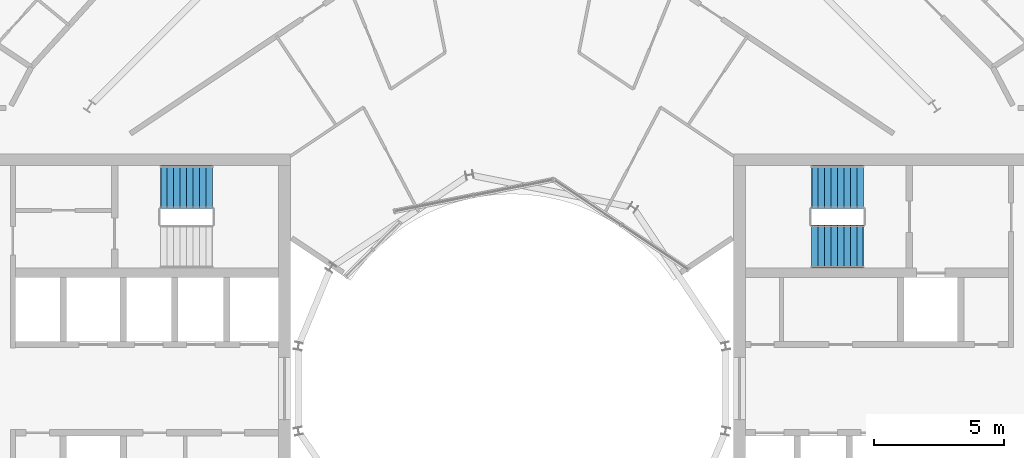
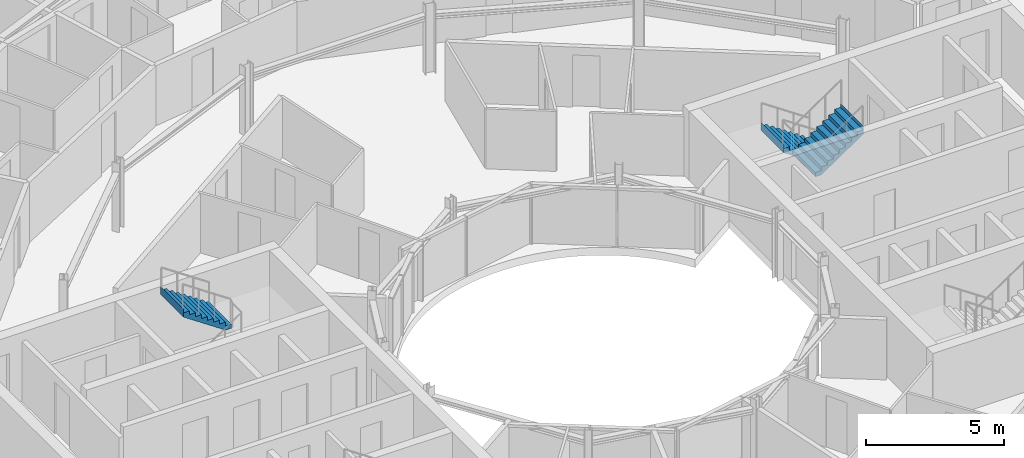
# One storey, part 26 of 28: 3 stair flights, 2 elements without a shape of their own.
"""IFC4 building model written with IfcOpenShell, lengths in metres."""

from ifc_helpers import new_model, si_unit, direction, frame, origin, place, context, subcontext, project, spatial, triangles, material, type_object, element, aggregate, save


model = new_model("IFC4")

# Units and contexts
model_context = context("Model", 3, precision=1e-05, world=origin(), true_north=direction((0.0, 1.0)))
body_context = subcontext(model_context, "Body", "Model", "MODEL_VIEW")
ifc_project = project(units=[si_unit("LENGTHUNIT", "METRE"), si_unit("AREAUNIT", "SQUARE_METRE"), si_unit("VOLUMEUNIT", "CUBIC_METRE"), si_unit("PLANEANGLEUNIT", "RADIAN"), si_unit("MASSUNIT", "GRAM", prefix="KILO")], contexts=[model_context])

# Site, building, storey
site_placement = place(None, origin())
site = spatial("IfcSite", under=ifc_project, at=site_placement, CompositionType="ELEMENT")
building_placement = place(site_placement, origin())
building = spatial("IfcBuilding", under=site, at=building_placement, Name="Maasbend Ring Residences", CompositionType="ELEMENT")
storey_placement = place(building_placement, frame((0.0, 0.0, 218.800048828125)))
storey = spatial("IfcBuildingStorey", under=building, at=storey_placement, Name="L63", CompositionType="ELEMENT", Elevation=218.800048828125)

# Stair, stair flights
ifc_material_1 = material(Name="Concrete C40/50", Category="concrete")
stair_type = type_object("IfcStairType", Name="CORE STAIR 18 RISERS", PredefinedType="HALF_TURN_STAIR", material=ifc_material_1)
stair_1_placement = place(storey_placement, origin())
stair_1 = element("IfcStair", 1, at=stair_1_placement, inside=storey, type_object=stair_type, Name="L63 Exit stair ST-E1", PredefinedType="HALF_TURN_STAIR")
ifc_material_2 = material(Name="Concrete C40/50", Category="concrete")
stair_flight_type = type_object("IfcStairFlightType", Name="CORE STAIR FLIGHT 1650", PredefinedType="STRAIGHT", material=ifc_material_2)
stair_flight_1_placement = place(storey_placement, frame((13.550048828125, 7.77490234375, 0.0), z_axis=(0.0, 0.0, 1.0), x_axis=(-1.0, 0.0, 0.0)))
stair_flight_1 = element("IfcStairFlight", 2, at=stair_flight_1_placement, type_object=stair_flight_type, Name="ST-E1 flight 1", NumberOfRisers=9, NumberOfTreads=8, PredefinedType="STRAIGHT", RiserHeight=0.169444444, TreadLength=0.25, context=body_context, shape_type="Tessellation", body=[
    triangles([(0.24072265625, 0.824951171875, -0.02001953125), (2.0029296875, 0.824951171875, 1.174560546875), (2.0029296875, 0.824951171875, 1.52490234375), (1.989990234375, 0.824951171875, 1.35546875), (1.75, 0.824951171875, 1.35546875), (1.75, 0.824951171875, 1.18603515625), (1.5, 0.824951171875, 1.18603515625), (1.5, 0.824951171875, 1.0166015625), (1.25, 0.824951171875, 1.0166015625), (1.25, 0.824951171875, 0.84716796875), (1.0, 0.824951171875, 0.84716796875), (1.0, 0.824951171875, 0.677734375), (0.75, 0.824951171875, 0.677734375), (0.75, 0.824951171875, 0.50830078125), (0.5, 0.824951171875, 0.50830078125), (0.5, 0.824951171875, 0.3388671875), (0.25, 0.824951171875, 0.3388671875), (0.25, 0.824951171875, 0.16943359375), (0.0, 0.824951171875, 0.16943359375), (0.0, 0.824951171875, 0.0), (-0.0029296875, 0.824951171875, 0.0), (-0.0029296875, 0.824951171875, -0.02001953125), (0.24072265625, 0.27490234375, -0.02001953125), (2.0029296875, 0.27490234375, 1.174560546875), (2.0029296875, 0.27490234375, 1.52490234375), (1.989990234375, 0.27490234375, 1.35546875), (1.75, 0.27490234375, 1.35546875), (1.75, 0.27490234375, 1.18603515625), (1.5, 0.27490234375, 1.18603515625), (1.5, 0.27490234375, 1.0166015625), (1.25, 0.27490234375, 1.0166015625), (1.25, 0.27490234375, 0.84716796875), (1.0, 0.27490234375, 0.84716796875), (1.0, 0.27490234375, 0.677734375), (0.75, 0.27490234375, 0.677734375), (0.75, 0.27490234375, 0.50830078125), (0.5, 0.27490234375, 0.50830078125), (0.5, 0.27490234375, 0.3388671875), (0.25, 0.27490234375, 0.3388671875), (0.25, 0.27490234375, 0.16943359375), (0.0, 0.27490234375, 0.16943359375), (0.0, 0.27490234375, 0.0), (-0.0029296875, 0.27490234375, 0.0), (-0.0029296875, 0.27490234375, -0.02001953125), (0.24072265625, -0.27490234375, -0.02001953125), (2.0029296875, -0.27490234375, 1.174560546875), (2.0029296875, -0.27490234375, 1.52490234375), (1.989990234375, -0.27490234375, 1.35546875), (1.75, -0.27490234375, 1.35546875), (1.75, -0.27490234375, 1.18603515625), (1.5, -0.27490234375, 1.18603515625), (1.5, -0.27490234375, 1.0166015625), (1.25, -0.27490234375, 1.0166015625), (1.25, -0.27490234375, 0.84716796875), (1.0, -0.27490234375, 0.84716796875), (1.0, -0.27490234375, 0.677734375), (0.75, -0.27490234375, 0.677734375), (0.75, -0.27490234375, 0.50830078125), (0.5, -0.27490234375, 0.50830078125), (0.5, -0.27490234375, 0.3388671875), (0.25, -0.27490234375, 0.3388671875), (0.25, -0.27490234375, 0.16943359375), (0.0, -0.27490234375, 0.16943359375), (0.0, -0.27490234375, 0.0), (-0.0029296875, -0.27490234375, 0.0), (-0.0029296875, -0.27490234375, -0.02001953125), (0.24072265625, -0.824951171875, -0.02001953125), (2.0029296875, -0.824951171875, 1.174560546875), (2.0029296875, -0.824951171875, 1.52490234375), (1.989990234375, -0.824951171875, 1.35546875), (1.75, -0.824951171875, 1.35546875), (1.75, -0.824951171875, 1.18603515625), (1.5, -0.824951171875, 1.18603515625), (1.5, -0.824951171875, 1.0166015625), (1.25, -0.824951171875, 1.0166015625), (1.25, -0.824951171875, 0.84716796875), (1.0, -0.824951171875, 0.84716796875), (1.0, -0.824951171875, 0.677734375), (0.75, -0.824951171875, 0.677734375), (0.75, -0.824951171875, 0.50830078125), (0.5, -0.824951171875, 0.50830078125), (0.5, -0.824951171875, 0.3388671875), (0.25, -0.824951171875, 0.3388671875), (0.25, -0.824951171875, 0.16943359375), (0.0, -0.824951171875, 0.16943359375), (0.0, -0.824951171875, 0.0), (-0.0029296875, -0.824951171875, 0.0), (-0.0029296875, -0.824951171875, -0.02001953125)], [[1, 2, 24], [1, 24, 23], [23, 24, 46], [23, 46, 45], [45, 46, 68], [45, 68, 67], [2, 3, 25], [2, 25, 24], [24, 25, 47], [24, 47, 46], [46, 47, 69], [46, 69, 68], [3, 4, 26], [3, 26, 25], [25, 26, 48], [25, 48, 47], [47, 48, 70], [47, 70, 69], [4, 5, 27], [4, 27, 26], [26, 27, 49], [26, 49, 48], [48, 49, 71], [48, 71, 70], [5, 6, 28], [5, 28, 27], [27, 28, 50], [27, 50, 49], [49, 50, 72], [49, 72, 71], [6, 7, 29], [6, 29, 28], [28, 29, 51], [28, 51, 50], [50, 51, 73], [50, 73, 72], [7, 8, 30], [7, 30, 29], [29, 30, 52], [29, 52, 51], [51, 52, 74], [51, 74, 73], [8, 9, 31], [8, 31, 30], [30, 31, 53], [30, 53, 52], [52, 53, 75], [52, 75, 74], [9, 10, 32], [9, 32, 31], [31, 32, 54], [31, 54, 53], [53, 54, 76], [53, 76, 75], [10, 11, 33], [10, 33, 32], [32, 33, 55], [32, 55, 54], [54, 55, 77], [54, 77, 76], [11, 12, 34], [11, 34, 33], [33, 34, 56], [33, 56, 55], [55, 56, 78], [55, 78, 77], [12, 13, 35], [12, 35, 34], [34, 35, 57], [34, 57, 56], [56, 57, 79], [56, 79, 78], [13, 14, 36], [13, 36, 35], [35, 36, 58], [35, 58, 57], [57, 58, 80], [57, 80, 79], [14, 15, 37], [14, 37, 36], [36, 37, 59], [36, 59, 58], [58, 59, 81], [58, 81, 80], [15, 16, 38], [15, 38, 37], [37, 38, 60], [37, 60, 59], [59, 60, 82], [59, 82, 81], [16, 17, 39], [16, 39, 38], [38, 39, 61], [38, 61, 60], [60, 61, 83], [60, 83, 82], [17, 18, 40], [17, 40, 39], [39, 40, 62], [39, 62, 61], [61, 62, 84], [61, 84, 83], [18, 19, 41], [18, 41, 40], [40, 41, 63], [40, 63, 62], [62, 63, 85], [62, 85, 84], [19, 20, 42], [19, 42, 41], [41, 42, 64], [41, 64, 63], [63, 64, 86], [63, 86, 85], [20, 21, 43], [20, 43, 42], [42, 43, 65], [42, 65, 64], [64, 65, 87], [64, 87, 86], [21, 22, 44], [21, 44, 43], [43, 44, 66], [43, 66, 65], [65, 66, 88], [65, 88, 87], [22, 1, 23], [22, 23, 44], [44, 23, 45], [44, 45, 66], [66, 45, 67], [66, 67, 88], [22, 2, 1], [2, 4, 3], [2, 5, 4], [2, 6, 5], [22, 6, 2], [6, 8, 7], [22, 8, 6], [8, 10, 9], [22, 10, 8], [10, 12, 11], [22, 12, 10], [12, 14, 13], [22, 14, 12], [14, 16, 15], [22, 16, 14], [16, 18, 17], [22, 18, 16], [18, 20, 19], [22, 20, 18], [20, 22, 21], [88, 67, 68], [68, 69, 70], [68, 70, 71], [68, 71, 72], [88, 68, 72], [72, 73, 74], [88, 72, 74], [74, 75, 76], [88, 74, 76], [76, 77, 78], [88, 76, 78], [78, 79, 80], [88, 78, 80], [80, 81, 82], [88, 80, 82], [82, 83, 84], [88, 82, 84], [84, 85, 86], [88, 84, 86], [86, 87, 88]], closed=True),
])
stair_flight_2_placement = place(storey_placement, frame((11.550048828125, 5.47509765625, 1.52490234375), z_axis=(0.0, 0.0, 1.0), x_axis=(1.0, 0.0, 0.0)))
stair_flight_2 = element("IfcStairFlight", 3, at=stair_flight_2_placement, type_object=stair_flight_type, Name="ST-E1 flight 2", NumberOfRisers=9, NumberOfTreads=8, PredefinedType="STRAIGHT", RiserHeight=0.169444444, TreadLength=0.25, context=body_context, shape_type="Tessellation", body=[
    triangles([(0.24072265625, 0.824951171875, -0.02001953125), (2.0029296875, 0.824951171875, 1.174560546875), (2.0029296875, 0.824951171875, 1.52490234375), (1.989990234375, 0.824951171875, 1.35546875), (1.75, 0.824951171875, 1.35546875), (1.75, 0.824951171875, 1.18603515625), (1.5, 0.824951171875, 1.18603515625), (1.5, 0.824951171875, 1.0166015625), (1.25, 0.824951171875, 1.0166015625), (1.25, 0.824951171875, 0.84716796875), (1.0, 0.824951171875, 0.84716796875), (1.0, 0.824951171875, 0.677734375), (0.75, 0.824951171875, 0.677734375), (0.75, 0.824951171875, 0.50830078125), (0.5, 0.824951171875, 0.50830078125), (0.5, 0.824951171875, 0.3388671875), (0.25, 0.824951171875, 0.3388671875), (0.25, 0.824951171875, 0.16943359375), (0.0, 0.824951171875, 0.16943359375), (0.0, 0.824951171875, 0.0), (-0.0029296875, 0.824951171875, 0.0), (-0.0029296875, 0.824951171875, -0.02001953125), (0.24072265625, 0.27490234375, -0.02001953125), (2.0029296875, 0.27490234375, 1.174560546875), (2.0029296875, 0.27490234375, 1.52490234375), (1.989990234375, 0.27490234375, 1.35546875), (1.75, 0.27490234375, 1.35546875), (1.75, 0.27490234375, 1.18603515625), (1.5, 0.27490234375, 1.18603515625), (1.5, 0.27490234375, 1.0166015625), (1.25, 0.27490234375, 1.0166015625), (1.25, 0.27490234375, 0.84716796875), (1.0, 0.27490234375, 0.84716796875), (1.0, 0.27490234375, 0.677734375), (0.75, 0.27490234375, 0.677734375), (0.75, 0.27490234375, 0.50830078125), (0.5, 0.27490234375, 0.50830078125), (0.5, 0.27490234375, 0.3388671875), (0.25, 0.27490234375, 0.3388671875), (0.25, 0.27490234375, 0.16943359375), (0.0, 0.27490234375, 0.16943359375), (0.0, 0.27490234375, 0.0), (-0.0029296875, 0.27490234375, 0.0), (-0.0029296875, 0.27490234375, -0.02001953125), (0.24072265625, -0.27490234375, -0.02001953125), (2.0029296875, -0.27490234375, 1.174560546875), (2.0029296875, -0.27490234375, 1.52490234375), (1.989990234375, -0.27490234375, 1.35546875), (1.75, -0.27490234375, 1.35546875), (1.75, -0.27490234375, 1.18603515625), (1.5, -0.27490234375, 1.18603515625), (1.5, -0.27490234375, 1.0166015625), (1.25, -0.27490234375, 1.0166015625), (1.25, -0.27490234375, 0.84716796875), (1.0, -0.27490234375, 0.84716796875), (1.0, -0.27490234375, 0.677734375), (0.75, -0.27490234375, 0.677734375), (0.75, -0.27490234375, 0.50830078125), (0.5, -0.27490234375, 0.50830078125), (0.5, -0.27490234375, 0.3388671875), (0.25, -0.27490234375, 0.3388671875), (0.25, -0.27490234375, 0.16943359375), (0.0, -0.27490234375, 0.16943359375), (0.0, -0.27490234375, 0.0), (-0.0029296875, -0.27490234375, 0.0), (-0.0029296875, -0.27490234375, -0.02001953125), (0.24072265625, -0.824951171875, -0.02001953125), (2.0029296875, -0.824951171875, 1.174560546875), (2.0029296875, -0.824951171875, 1.52490234375), (1.989990234375, -0.824951171875, 1.35546875), (1.75, -0.824951171875, 1.35546875), (1.75, -0.824951171875, 1.18603515625), (1.5, -0.824951171875, 1.18603515625), (1.5, -0.824951171875, 1.0166015625), (1.25, -0.824951171875, 1.0166015625), (1.25, -0.824951171875, 0.84716796875), (1.0, -0.824951171875, 0.84716796875), (1.0, -0.824951171875, 0.677734375), (0.75, -0.824951171875, 0.677734375), (0.75, -0.824951171875, 0.50830078125), (0.5, -0.824951171875, 0.50830078125), (0.5, -0.824951171875, 0.3388671875), (0.25, -0.824951171875, 0.3388671875), (0.25, -0.824951171875, 0.16943359375), (0.0, -0.824951171875, 0.16943359375), (0.0, -0.824951171875, 0.0), (-0.0029296875, -0.824951171875, 0.0), (-0.0029296875, -0.824951171875, -0.02001953125)], [[1, 2, 24], [1, 24, 23], [23, 24, 46], [23, 46, 45], [45, 46, 68], [45, 68, 67], [2, 3, 25], [2, 25, 24], [24, 25, 47], [24, 47, 46], [46, 47, 69], [46, 69, 68], [3, 4, 26], [3, 26, 25], [25, 26, 48], [25, 48, 47], [47, 48, 70], [47, 70, 69], [4, 5, 27], [4, 27, 26], [26, 27, 49], [26, 49, 48], [48, 49, 71], [48, 71, 70], [5, 6, 28], [5, 28, 27], [27, 28, 50], [27, 50, 49], [49, 50, 72], [49, 72, 71], [6, 7, 29], [6, 29, 28], [28, 29, 51], [28, 51, 50], [50, 51, 73], [50, 73, 72], [7, 8, 30], [7, 30, 29], [29, 30, 52], [29, 52, 51], [51, 52, 74], [51, 74, 73], [8, 9, 31], [8, 31, 30], [30, 31, 53], [30, 53, 52], [52, 53, 75], [52, 75, 74], [9, 10, 32], [9, 32, 31], [31, 32, 54], [31, 54, 53], [53, 54, 76], [53, 76, 75], [10, 11, 33], [10, 33, 32], [32, 33, 55], [32, 55, 54], [54, 55, 77], [54, 77, 76], [11, 12, 34], [11, 34, 33], [33, 34, 56], [33, 56, 55], [55, 56, 78], [55, 78, 77], [12, 13, 35], [12, 35, 34], [34, 35, 57], [34, 57, 56], [56, 57, 79], [56, 79, 78], [13, 14, 36], [13, 36, 35], [35, 36, 58], [35, 58, 57], [57, 58, 80], [57, 80, 79], [14, 15, 37], [14, 37, 36], [36, 37, 59], [36, 59, 58], [58, 59, 81], [58, 81, 80], [15, 16, 38], [15, 38, 37], [37, 38, 60], [37, 60, 59], [59, 60, 82], [59, 82, 81], [16, 17, 39], [16, 39, 38], [38, 39, 61], [38, 61, 60], [60, 61, 83], [60, 83, 82], [17, 18, 40], [17, 40, 39], [39, 40, 62], [39, 62, 61], [61, 62, 84], [61, 84, 83], [18, 19, 41], [18, 41, 40], [40, 41, 63], [40, 63, 62], [62, 63, 85], [62, 85, 84], [19, 20, 42], [19, 42, 41], [41, 42, 64], [41, 64, 63], [63, 64, 86], [63, 86, 85], [20, 21, 43], [20, 43, 42], [42, 43, 65], [42, 65, 64], [64, 65, 87], [64, 87, 86], [21, 22, 44], [21, 44, 43], [43, 44, 66], [43, 66, 65], [65, 66, 88], [65, 88, 87], [22, 1, 23], [22, 23, 44], [44, 23, 45], [44, 45, 66], [66, 45, 67], [66, 67, 88], [22, 2, 1], [2, 4, 3], [2, 5, 4], [2, 6, 5], [22, 6, 2], [6, 8, 7], [22, 8, 6], [8, 10, 9], [22, 10, 8], [10, 12, 11], [22, 12, 10], [12, 14, 13], [22, 14, 12], [14, 16, 15], [22, 16, 14], [16, 18, 17], [22, 18, 16], [18, 20, 19], [22, 20, 18], [20, 22, 21], [88, 67, 68], [68, 69, 70], [68, 70, 71], [68, 71, 72], [88, 68, 72], [72, 73, 74], [88, 72, 74], [74, 75, 76], [88, 74, 76], [76, 77, 78], [88, 76, 78], [78, 79, 80], [88, 78, 80], [80, 81, 82], [88, 80, 82], [82, 83, 84], [88, 82, 84], [84, 85, 86], [88, 84, 86], [86, 87, 88]], closed=True),
])
aggregate(stair_1, [stair_flight_1, stair_flight_2])

# Stair, stair flight
stair_2_placement = place(storey_placement, origin())
stair_2 = element("IfcStair", 4, at=stair_2_placement, inside=storey, type_object=stair_type, Name="L63 Exit stair ST-W2", PredefinedType="HALF_TURN_STAIR")
stair_flight_3_placement = place(storey_placement, frame((-11.550048828125, 7.77490234375, 1.52490234375), z_axis=(0.0, 0.0, 1.0), x_axis=(-1.0, 0.0, 0.0)))
stair_flight_3 = element("IfcStairFlight", 5, at=stair_flight_3_placement, type_object=stair_flight_type, Name="ST-W2 flight 2", NumberOfRisers=9, NumberOfTreads=8, PredefinedType="STRAIGHT", RiserHeight=0.169444444, TreadLength=0.25, context=body_context, shape_type="Tessellation", body=[
    triangles([(0.24072265625, 0.824951171875, -0.02001953125), (2.0029296875, 0.824951171875, 1.174560546875), (2.0029296875, 0.824951171875, 1.52490234375), (1.989990234375, 0.824951171875, 1.35546875), (1.75, 0.824951171875, 1.35546875), (1.75, 0.824951171875, 1.18603515625), (1.5, 0.824951171875, 1.18603515625), (1.5, 0.824951171875, 1.0166015625), (1.25, 0.824951171875, 1.0166015625), (1.25, 0.824951171875, 0.84716796875), (1.0, 0.824951171875, 0.84716796875), (1.0, 0.824951171875, 0.677734375), (0.75, 0.824951171875, 0.677734375), (0.75, 0.824951171875, 0.50830078125), (0.5, 0.824951171875, 0.50830078125), (0.5, 0.824951171875, 0.3388671875), (0.25, 0.824951171875, 0.3388671875), (0.25, 0.824951171875, 0.16943359375), (0.0, 0.824951171875, 0.16943359375), (0.0, 0.824951171875, 0.0), (-0.0029296875, 0.824951171875, 0.0), (-0.0029296875, 0.824951171875, -0.02001953125), (0.24072265625, 0.27490234375, -0.02001953125), (2.0029296875, 0.27490234375, 1.174560546875), (2.0029296875, 0.27490234375, 1.52490234375), (1.989990234375, 0.27490234375, 1.35546875), (1.75, 0.27490234375, 1.35546875), (1.75, 0.27490234375, 1.18603515625), (1.5, 0.27490234375, 1.18603515625), (1.5, 0.27490234375, 1.0166015625), (1.25, 0.27490234375, 1.0166015625), (1.25, 0.27490234375, 0.84716796875), (1.0, 0.27490234375, 0.84716796875), (1.0, 0.27490234375, 0.677734375), (0.75, 0.27490234375, 0.677734375), (0.75, 0.27490234375, 0.50830078125), (0.5, 0.27490234375, 0.50830078125), (0.5, 0.27490234375, 0.3388671875), (0.25, 0.27490234375, 0.3388671875), (0.25, 0.27490234375, 0.16943359375), (0.0, 0.27490234375, 0.16943359375), (0.0, 0.27490234375, 0.0), (-0.0029296875, 0.27490234375, 0.0), (-0.0029296875, 0.27490234375, -0.02001953125), (0.24072265625, -0.27490234375, -0.02001953125), (2.0029296875, -0.27490234375, 1.174560546875), (2.0029296875, -0.27490234375, 1.52490234375), (1.989990234375, -0.27490234375, 1.35546875), (1.75, -0.27490234375, 1.35546875), (1.75, -0.27490234375, 1.18603515625), (1.5, -0.27490234375, 1.18603515625), (1.5, -0.27490234375, 1.0166015625), (1.25, -0.27490234375, 1.0166015625), (1.25, -0.27490234375, 0.84716796875), (1.0, -0.27490234375, 0.84716796875), (1.0, -0.27490234375, 0.677734375), (0.75, -0.27490234375, 0.677734375), (0.75, -0.27490234375, 0.50830078125), (0.5, -0.27490234375, 0.50830078125), (0.5, -0.27490234375, 0.3388671875), (0.25, -0.27490234375, 0.3388671875), (0.25, -0.27490234375, 0.16943359375), (0.0, -0.27490234375, 0.16943359375), (0.0, -0.27490234375, 0.0), (-0.0029296875, -0.27490234375, 0.0), (-0.0029296875, -0.27490234375, -0.02001953125), (0.24072265625, -0.824951171875, -0.02001953125), (2.0029296875, -0.824951171875, 1.174560546875), (2.0029296875, -0.824951171875, 1.52490234375), (1.989990234375, -0.824951171875, 1.35546875), (1.75, -0.824951171875, 1.35546875), (1.75, -0.824951171875, 1.18603515625), (1.5, -0.824951171875, 1.18603515625), (1.5, -0.824951171875, 1.0166015625), (1.25, -0.824951171875, 1.0166015625), (1.25, -0.824951171875, 0.84716796875), (1.0, -0.824951171875, 0.84716796875), (1.0, -0.824951171875, 0.677734375), (0.75, -0.824951171875, 0.677734375), (0.75, -0.824951171875, 0.50830078125), (0.5, -0.824951171875, 0.50830078125), (0.5, -0.824951171875, 0.3388671875), (0.25, -0.824951171875, 0.3388671875), (0.25, -0.824951171875, 0.16943359375), (0.0, -0.824951171875, 0.16943359375), (0.0, -0.824951171875, 0.0), (-0.0029296875, -0.824951171875, 0.0), (-0.0029296875, -0.824951171875, -0.02001953125)], [[1, 2, 24], [1, 24, 23], [23, 24, 46], [23, 46, 45], [45, 46, 68], [45, 68, 67], [2, 3, 25], [2, 25, 24], [24, 25, 47], [24, 47, 46], [46, 47, 69], [46, 69, 68], [3, 4, 26], [3, 26, 25], [25, 26, 48], [25, 48, 47], [47, 48, 70], [47, 70, 69], [4, 5, 27], [4, 27, 26], [26, 27, 49], [26, 49, 48], [48, 49, 71], [48, 71, 70], [5, 6, 28], [5, 28, 27], [27, 28, 50], [27, 50, 49], [49, 50, 72], [49, 72, 71], [6, 7, 29], [6, 29, 28], [28, 29, 51], [28, 51, 50], [50, 51, 73], [50, 73, 72], [7, 8, 30], [7, 30, 29], [29, 30, 52], [29, 52, 51], [51, 52, 74], [51, 74, 73], [8, 9, 31], [8, 31, 30], [30, 31, 53], [30, 53, 52], [52, 53, 75], [52, 75, 74], [9, 10, 32], [9, 32, 31], [31, 32, 54], [31, 54, 53], [53, 54, 76], [53, 76, 75], [10, 11, 33], [10, 33, 32], [32, 33, 55], [32, 55, 54], [54, 55, 77], [54, 77, 76], [11, 12, 34], [11, 34, 33], [33, 34, 56], [33, 56, 55], [55, 56, 78], [55, 78, 77], [12, 13, 35], [12, 35, 34], [34, 35, 57], [34, 57, 56], [56, 57, 79], [56, 79, 78], [13, 14, 36], [13, 36, 35], [35, 36, 58], [35, 58, 57], [57, 58, 80], [57, 80, 79], [14, 15, 37], [14, 37, 36], [36, 37, 59], [36, 59, 58], [58, 59, 81], [58, 81, 80], [15, 16, 38], [15, 38, 37], [37, 38, 60], [37, 60, 59], [59, 60, 82], [59, 82, 81], [16, 17, 39], [16, 39, 38], [38, 39, 61], [38, 61, 60], [60, 61, 83], [60, 83, 82], [17, 18, 40], [17, 40, 39], [39, 40, 62], [39, 62, 61], [61, 62, 84], [61, 84, 83], [18, 19, 41], [18, 41, 40], [40, 41, 63], [40, 63, 62], [62, 63, 85], [62, 85, 84], [19, 20, 42], [19, 42, 41], [41, 42, 64], [41, 64, 63], [63, 64, 86], [63, 86, 85], [20, 21, 43], [20, 43, 42], [42, 43, 65], [42, 65, 64], [64, 65, 87], [64, 87, 86], [21, 22, 44], [21, 44, 43], [43, 44, 66], [43, 66, 65], [65, 66, 88], [65, 88, 87], [22, 1, 23], [22, 23, 44], [44, 23, 45], [44, 45, 66], [66, 45, 67], [66, 67, 88], [22, 2, 1], [2, 4, 3], [2, 5, 4], [2, 6, 5], [22, 6, 2], [6, 8, 7], [22, 8, 6], [8, 10, 9], [22, 10, 8], [10, 12, 11], [22, 12, 10], [12, 14, 13], [22, 14, 12], [14, 16, 15], [22, 16, 14], [16, 18, 17], [22, 18, 16], [18, 20, 19], [22, 20, 18], [20, 22, 21], [88, 67, 68], [68, 69, 70], [68, 70, 71], [68, 71, 72], [88, 68, 72], [72, 73, 74], [88, 72, 74], [74, 75, 76], [88, 74, 76], [76, 77, 78], [88, 76, 78], [78, 79, 80], [88, 78, 80], [80, 81, 82], [88, 80, 82], [82, 83, 84], [88, 82, 84], [84, 85, 86], [88, 84, 86], [86, 87, 88]], closed=True),
])
aggregate(stair_2, [stair_flight_3])

save(model, "model.ifc")
